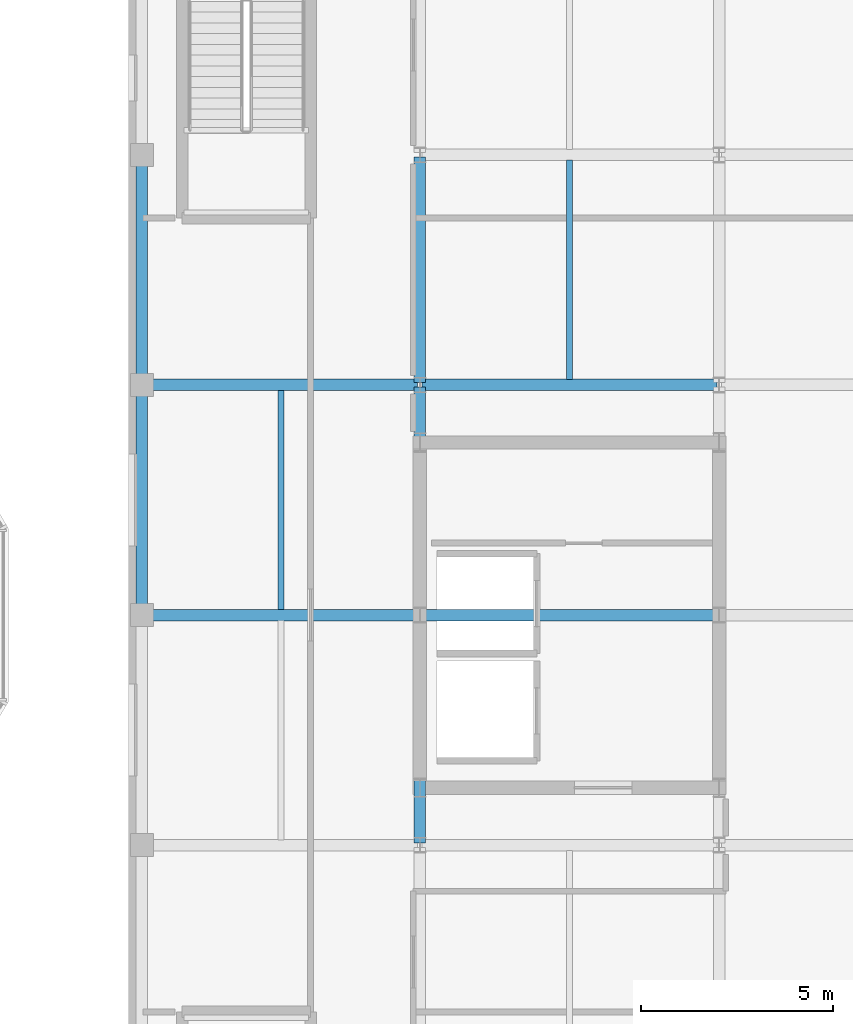
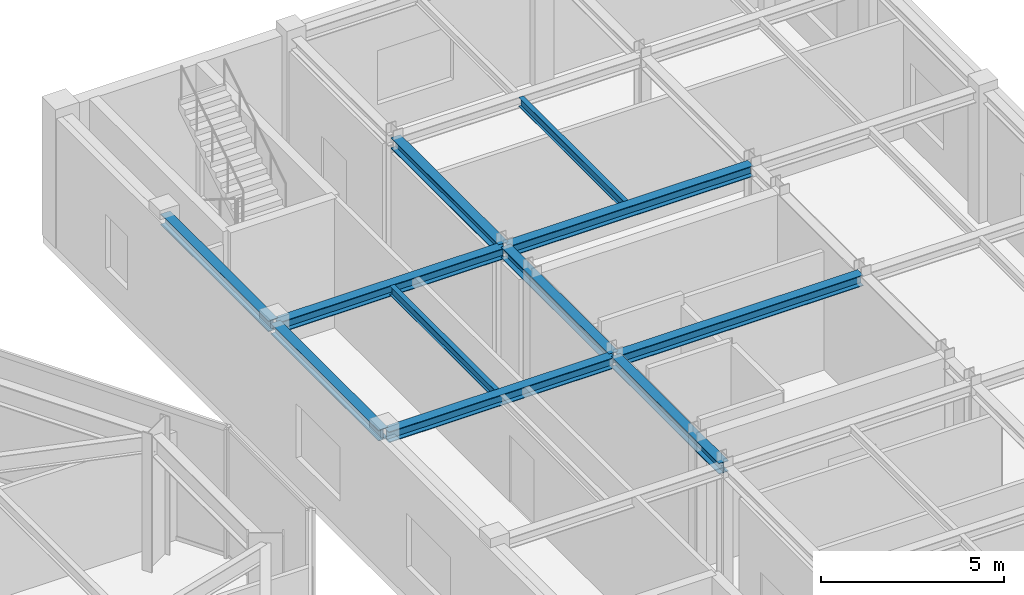
# One storey, part 11 of 23: 11 beams.
"""IFC4 building model written with IfcOpenShell, lengths in metres."""

from ifc_helpers import new_model, si_unit, direction, frame, origin, origin_2d, place, context, subcontext, project, spatial, i_section, extrude, material, material_profile, profile_set, type_object, element, save


model = new_model("IFC4")

# Units and contexts
model_context = context("Model", 3, precision=1e-05, world=origin(), true_north=direction((0.0, 1.0)))
body_context = subcontext(model_context, "Body", "Model", "MODEL_VIEW")
ifc_project = project(units=[si_unit("LENGTHUNIT", "METRE"), si_unit("AREAUNIT", "SQUARE_METRE"), si_unit("VOLUMEUNIT", "CUBIC_METRE"), si_unit("PLANEANGLEUNIT", "RADIAN"), si_unit("MASSUNIT", "GRAM", prefix="KILO")], contexts=[model_context])

# Site, building, storey
site_placement = place(None, origin())
site = spatial("IfcSite", under=ifc_project, at=site_placement, CompositionType="ELEMENT")
building_placement = place(site_placement, origin())
building = spatial("IfcBuilding", under=site, at=building_placement, Name="Kranzbogen Civic Tower", CompositionType="ELEMENT")
storey_placement = place(building_placement, frame((0.0, 0.0, 14.39990234375)))
storey = spatial("IfcBuildingStorey", under=building, at=storey_placement, Name="L03", CompositionType="ELEMENT", Elevation=14.39990234375)

# Beams
ifc_material = material(Name="Steel S355", Category="steel")
ifc_material_profile_1 = material_profile(ifc_material, i_section(OverallWidth=0.300048828125, OverallDepth=0.360107421875, WebThickness=0.012451171875, FlangeThickness=0.0224609375, at=origin_2d()), Name="HEB 360")
ifc_profile_set_1 = profile_set([ifc_material_profile_1], Name="Steel S355")
beam_type_1 = type_object("IfcBeamType", Name="Health Centre Primary Floor Beam HEB 360", PredefinedType="BEAM", material=ifc_profile_set_1)
beam_1_placement = place(storey_placement, frame((52.409912109375, 25.0, 4.1201171875), z_axis=(1.0, 0.0, 0.0), x_axis=(0.0, 1.0, 0.0)))
element("IfcBeam", 1, at=beam_1_placement, inside=storey, type_object=beam_type_1, Name="L03 Health Centre X girder 1-4", PredefinedType="BEAM", context=body_context, shape_type="SweptSolid", body=[
    extrude(i_section(OverallWidth=0.300048828125, OverallDepth=0.360107421875, WebThickness=0.012451171875, FlangeThickness=0.0224609375, at=origin_2d()), origin(), (0.0, 0.0, 1.0), 7.130126953125),
])
beam_2_placement = place(storey_placement, frame((59.659912109375, 25.0, 4.1201171875), z_axis=(1.0, 0.0, 0.0), x_axis=(0.0, 1.0, 0.0)))
element("IfcBeam", 2, at=beam_2_placement, inside=storey, type_object=beam_type_1, Name="L03 Health Centre X girder 2-4", PredefinedType="BEAM", context=body_context, shape_type="SweptSolid", body=[
    extrude(i_section(OverallWidth=0.300048828125, OverallDepth=0.360107421875, WebThickness=0.012451171875, FlangeThickness=0.0224609375, at=origin_2d()), origin(), (0.0, 0.0, 1.0), 7.68017578125),
])
beam_3_placement = place(storey_placement, frame((52.409912109375, 31.0, 4.1201171875), z_axis=(1.0, 0.0, 0.0), x_axis=(0.0, 1.0, 0.0)))
element("IfcBeam", 3, at=beam_3_placement, inside=storey, type_object=beam_type_1, Name="L03 Health Centre X girder 1-5", PredefinedType="BEAM", context=body_context, shape_type="SweptSolid", body=[
    extrude(i_section(OverallWidth=0.300048828125, OverallDepth=0.360107421875, WebThickness=0.012451171875, FlangeThickness=0.0224609375, at=origin_2d()), origin(), (0.0, 0.0, 1.0), 7.130126953125),
])
beam_4_placement = place(storey_placement, frame((59.659912109375, 31.0, 4.1201171875), z_axis=(1.0, 0.0, 0.0), x_axis=(0.0, 1.0, 0.0)))
element("IfcBeam", 4, at=beam_4_placement, inside=storey, type_object=beam_type_1, Name="L03 Health Centre X girder 2-5", PredefinedType="BEAM", context=body_context, shape_type="SweptSolid", body=[
    extrude(i_section(OverallWidth=0.300048828125, OverallDepth=0.360107421875, WebThickness=0.012451171875, FlangeThickness=0.0224609375, at=origin_2d()), origin(), (0.0, 0.0, 1.0), 7.68017578125),
])
for number, where, z_axis, x_axis, name in (
    (5, (59.60009765625, 19.06005859375, 4.1201171875), (0.0, 1.0, 0.0), (-1.0, 0.0, 0.0), "L03 Health Centre Y girder 2-3"),
    (6, (52.35009765625, 25.06005859375, 4.1201171875), (0.0, 1.0, 0.0), (-1.0, 0.0, 0.0), "L03 Health Centre Y girder 1-4"),
    (7, (59.60009765625, 25.06005859375, 4.1201171875), (0.0, 1.0, 0.0), (-1.0, 0.0, 0.0), "L03 Health Centre Y girder 2-4"),
    (8, (52.35009765625, 31.06005859375, 4.1201171875), (0.0, 1.0, 0.0), (-1.0, 0.0, 0.0), "L03 Health Centre Y girder 1-5"),
    (9, (59.60009765625, 31.06005859375, 4.1201171875), (0.0, 1.0, 0.0), (-1.0, 0.0, 0.0), "L03 Health Centre Y girder 2-5"),
):
    element("IfcBeam", number, at=place(storey_placement, frame(where, z_axis=z_axis, x_axis=x_axis)), inside=storey, type_object=beam_type_1, Name=name, PredefinedType="BEAM", context=body_context, shape_type="SweptSolid", body=[
        extrude(i_section(OverallWidth=0.300048828125, OverallDepth=0.360107421875, WebThickness=0.012451171875, FlangeThickness=0.0224609375, at=origin_2d()), origin(), (0.0, 0.0, 1.0), 5.8798828125),
    ])
ifc_material_profile_2 = material_profile(ifc_material, i_section(OverallWidth=0.14990234375, OverallDepth=0.300048828125, WebThickness=0.007080078125, FlangeThickness=0.0107421875, at=origin_2d()), Name="IPE 300")
ifc_profile_set_2 = profile_set([ifc_material_profile_2], Name="Steel S355")
beam_type_2 = type_object("IfcBeamType", Name="Health Centre Secondary Joist IPE 300", PredefinedType="JOIST", material=ifc_profile_set_2)
for number, where, z_axis, x_axis, name in (
    (10, (55.97509765625, 25.139892578125, 4.150146484375), (0.0, 1.0, 0.0), (-1.0, 0.0, 0.0), "L03 Health Centre secondary joist 1-4"),
    (11, (63.5, 31.139892578125, 4.150146484375), (0.0, 1.0, 0.0), (-1.0, 0.0, 0.0), "L03 Health Centre secondary joist 2-5"),
):
    element("IfcBeam", number, at=place(storey_placement, frame(where, z_axis=z_axis, x_axis=x_axis)), inside=storey, type_object=beam_type_2, Name=name, PredefinedType="JOIST", context=body_context, shape_type="SweptSolid", body=[
        extrude(i_section(OverallWidth=0.14990234375, OverallDepth=0.300048828125, WebThickness=0.007080078125, FlangeThickness=0.0107421875, at=origin_2d()), origin(), (0.0, 0.0, 1.0), 5.72021484375),
    ])

save(model, "model.ifc")
